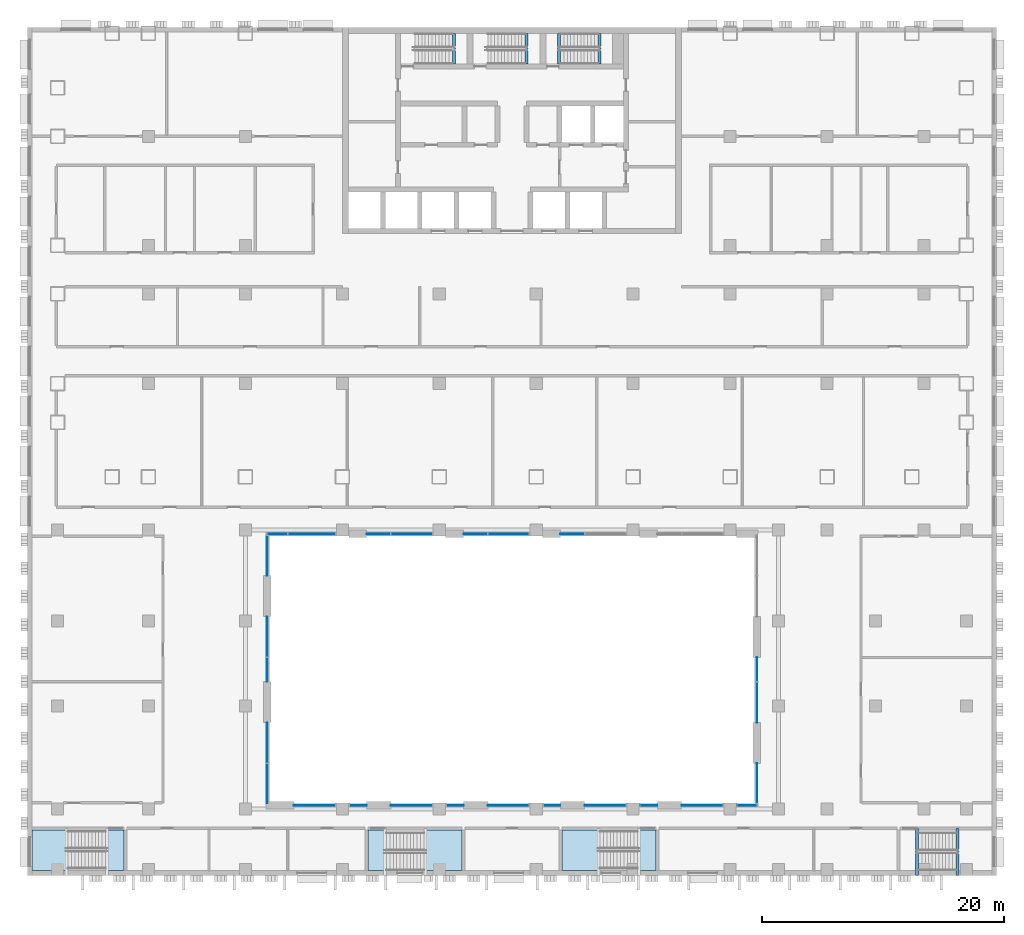
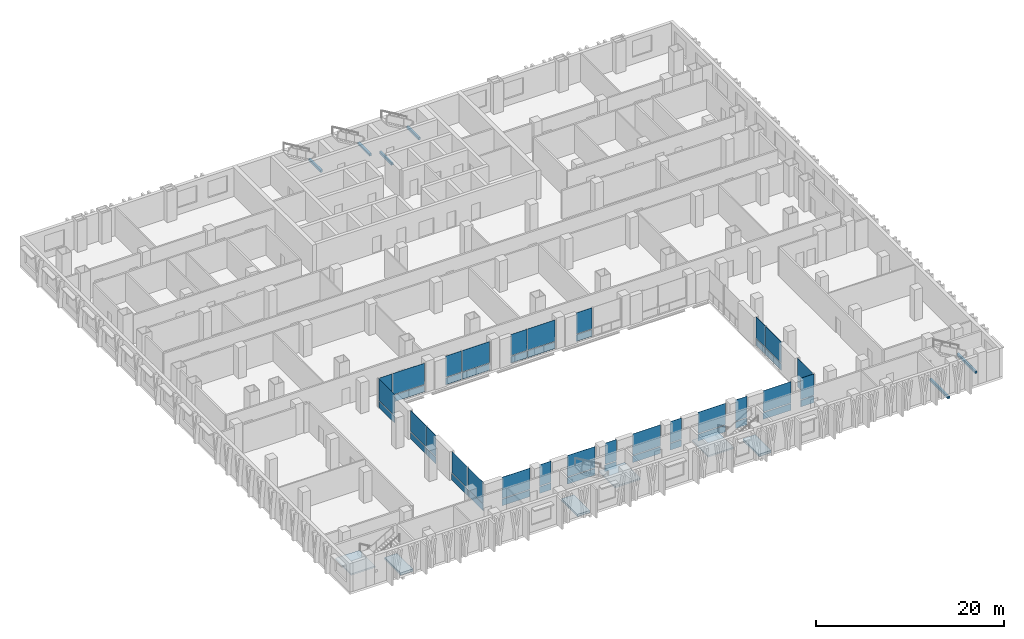
# One storey, part 5 of 25: 50 plates, 6 beams, 6 slabs, 22 elements without a shape of their own.
"""IFC4 building model written with IfcOpenShell, lengths in metres."""

from ifc_helpers import new_model, si_unit, direction, frame, origin, origin_2d, place, context, subcontext, project, spatial, polyline, rectangle, outline, extrude, material, layer, layer_set, material_profile, profile_set, type_object, element, aggregate, save


model = new_model("IFC4")

# Units and contexts
model_context = context("Model", 3, precision=1e-05, world=origin(), true_north=direction((0.0, 1.0)))
body_context = subcontext(model_context, "Body", "Model", "MODEL_VIEW")
ifc_project = project(units=[si_unit("LENGTHUNIT", "METRE"), si_unit("AREAUNIT", "SQUARE_METRE"), si_unit("VOLUMEUNIT", "CUBIC_METRE"), si_unit("PLANEANGLEUNIT", "RADIAN"), si_unit("MASSUNIT", "GRAM", prefix="KILO")], contexts=[model_context])

# Site, building, storey
site_placement = place(None, origin())
site = spatial("IfcSite", under=ifc_project, at=site_placement, CompositionType="ELEMENT")
building_placement = place(site_placement, origin())
building = spatial("IfcBuilding", under=site, at=building_placement, Name="Vidyagriha Tower", CompositionType="ELEMENT")
storey_placement = place(building_placement, frame((0.0, 0.0, 14.0)))
storey = spatial("IfcBuildingStorey", under=building, at=storey_placement, Name="L03", CompositionType="ELEMENT", Elevation=14.0)

# Beams
ifc_material_1 = material(Name="Concrete C40/50", Category="concrete")
ifc_material_profile = material_profile(ifc_material_1, rectangle(XDim=0.25, YDim=0.300048828125, at=origin_2d()), Name="Stair landing bearing beam 250x300")
ifc_profile_set = profile_set([ifc_material_profile], Name="Concrete C40/50")
beam_type = type_object("IfcBeamType", Name="Stair landing bearing beam 250x300", PredefinedType="BEAM", material=ifc_profile_set)
for number, where, z_axis, x_axis, name in (
    (1, (3.875, 16.949951171875, -0.449951171875), (0.0, 1.0, 0.0), (-1.0, 0.0, 0.0), "ST3 floor landing bearing beam L03"),
    (2, (-4.794921875, 16.949951171875, 1.64990234375), (0.0, 1.0, 0.0), (-1.0, 0.0, 0.0), "ST1 landing bearing beam L03"),
    (3, (1.205078125, 16.949951171875, 1.64990234375), (0.0, 1.0, 0.0), (-1.0, 0.0, 0.0), "ST2 landing bearing beam L03"),
    (4, (7.205078125, 16.949951171875, 1.64990234375), (0.0, 1.0, 0.0), (-1.0, 0.0, 0.0), "ST3 landing bearing beam L03"),
):
    element("IfcBeam", number, at=place(storey_placement, frame(where, z_axis=z_axis, x_axis=x_axis)), inside=storey, type_object=beam_type, Name=name, PredefinedType="BEAM", context=body_context, shape_type="SweptSolid", body=[
        extrude(rectangle(XDim=0.25, YDim=0.300048828125, at=origin_2d()), origin(), (0.0, 0.0, 1.0), 2.550048828125),
    ])
for number, where, z_axis, x_axis, name in (
    (5, (33.419921875, -50.0, -0.449951171875), (0.0, 1.0, 0.0), (-1.0, 0.0, 0.0), "PS2 floor landing bearing beam L03"),
    (6, (36.760009765625, -50.0, 1.64990234375), (0.0, 1.0, 0.0), (-1.0, 0.0, 0.0), "PS2 landing bearing beam L03"),
):
    element("IfcBeam", number, at=place(storey_placement, frame(where, z_axis=z_axis, x_axis=x_axis)), inside=storey, type_object=beam_type, Name=name, PredefinedType="BEAM", context=body_context, shape_type="SweptSolid", body=[
        extrude(rectangle(XDim=0.25, YDim=0.300048828125, at=origin_2d()), origin(), (0.0, 0.0, 1.0), 3.89990234375),
    ])

# Curtain wall, plate
ifc_material_2 = material(Name="Aluminium and glass curtain wall", Category="aluminium")
curtain_wall_type = type_object("IfcCurtainWallType", Name="Atrium screen curtain wall", PredefinedType="USERDEFINED", material=ifc_material_2)
curtain_wall_1_placement = place(storey_placement, origin())
curtain_wall_1 = element("IfcCurtainWall", 7, at=curtain_wall_1_placement, inside=storey, type_object=curtain_wall_type, Name="CW6 atrium screen", ObjectType="UNITISED", PredefinedType="USERDEFINED")
ifc_material_3 = material(Name="Glass dark ceramic-fritted spandrel", Category="glass")
ifc_layer_1 = layer(ifc_material_3, 0.0400390625)
ifc_layer_set_1 = layer_set([ifc_layer_1], Name="Glass dark ceramic-fritted spandrel")
plate_type_1 = type_object("IfcPlateType", Name="Ceramic-fritted spandrel panel", PredefinedType="CURTAIN_PANEL", material=ifc_layer_set_1)
plate_1_placement = place(storey_placement, frame((19.405029296875, -44.199951171875, 0.0), z_axis=(0.0, 0.0, 1.0), x_axis=(-1.0, 0.0, 0.0)))
plate_1 = element("IfcPlate", 8, at=plate_1_placement, type_object=plate_type_1, Name="CW6 panel 1.1", PredefinedType="CURTAIN_PANEL", context=body_context, shape_type="SweptSolid", body=[
    extrude(rectangle(XDim=1.610107421875, YDim=0.0400390625, at=origin_2d()), origin(), (0.0, 0.0, 1.0), 0.85009765625),
])

curtain_wall_2_placement = place(storey_placement, origin())
curtain_wall_2 = element("IfcCurtainWall", 9, at=curtain_wall_2_placement, inside=storey, type_object=curtain_wall_type, Name="CW6 atrium screen", ObjectType="UNITISED", PredefinedType="USERDEFINED")
plate_2_placement = place(storey_placement, frame((15.699951171875, -44.199951171875, 0.0), z_axis=(0.0, 0.0, 1.0), x_axis=(-1.0, 0.0, 0.0)))
plate_2 = element("IfcPlate", 10, at=plate_2_placement, type_object=plate_type_1, Name="CW6 panel 1.1", PredefinedType="CURTAIN_PANEL", context=body_context, shape_type="SweptSolid", body=[
    extrude(rectangle(XDim=3.39990234375, YDim=0.0400390625, at=origin_2d()), origin(), (0.0, 0.0, 1.0), 0.85009765625),
])

curtain_wall_3_placement = place(storey_placement, origin())
curtain_wall_3 = element("IfcCurtainWall", 11, at=curtain_wall_3_placement, inside=storey, type_object=curtain_wall_type, Name="CW6 atrium screen", ObjectType="UNITISED", PredefinedType="USERDEFINED")
plate_3_placement = place(storey_placement, frame((11.300048828125, -44.199951171875, 0.0), z_axis=(0.0, 0.0, 1.0), x_axis=(-1.0, 0.0, 0.0)))
plate_3 = element("IfcPlate", 12, at=plate_3_placement, type_object=plate_type_1, Name="CW6 panel 1.1", PredefinedType="CURTAIN_PANEL", context=body_context, shape_type="SweptSolid", body=[
    extrude(rectangle(XDim=1.39990234375, YDim=0.0400390625, at=origin_2d()), origin(), (0.0, 0.0, 1.0), 0.85009765625),
])

curtain_wall_4_placement = place(storey_placement, origin())
curtain_wall_4 = element("IfcCurtainWall", 13, at=curtain_wall_4_placement, inside=storey, type_object=curtain_wall_type, Name="CW6 atrium screen", ObjectType="UNITISED", PredefinedType="USERDEFINED")
plate_4_placement = place(storey_placement, frame((7.699951171875, -44.199951171875, 0.0), z_axis=(0.0, 0.0, 1.0), x_axis=(-1.0, 0.0, 0.0)))
plate_4 = element("IfcPlate", 14, at=plate_4_placement, type_object=plate_type_1, Name="CW6 panel 1.1", PredefinedType="CURTAIN_PANEL", context=body_context, shape_type="SweptSolid", body=[
    extrude(rectangle(XDim=3.39990234375, YDim=0.0400390625, at=origin_2d()), origin(), (0.0, 0.0, 1.0), 0.85009765625),
])

curtain_wall_5_placement = place(storey_placement, origin())
curtain_wall_5 = element("IfcCurtainWall", 15, at=curtain_wall_5_placement, inside=storey, type_object=curtain_wall_type, Name="CW6 atrium screen", ObjectType="UNITISED", PredefinedType="USERDEFINED")
plate_5_placement = place(storey_placement, frame((3.300048828125, -44.199951171875, 0.0), z_axis=(0.0, 0.0, 1.0), x_axis=(-1.0, 0.0, 0.0)))
plate_5 = element("IfcPlate", 16, at=plate_5_placement, type_object=plate_type_1, Name="CW6 panel 1.1", PredefinedType="CURTAIN_PANEL", context=body_context, shape_type="SweptSolid", body=[
    extrude(rectangle(XDim=1.39990234375, YDim=0.0400390625, at=origin_2d()), origin(), (0.0, 0.0, 1.0), 0.85009765625),
])

curtain_wall_6_placement = place(storey_placement, origin())
curtain_wall_6 = element("IfcCurtainWall", 17, at=curtain_wall_6_placement, inside=storey, type_object=curtain_wall_type, Name="CW6 atrium screen", ObjectType="UNITISED", PredefinedType="USERDEFINED")
plate_6_placement = place(storey_placement, frame((-0.300048828125, -44.199951171875, 0.0), z_axis=(0.0, 0.0, 1.0), x_axis=(-1.0, 0.0, 0.0)))
plate_6 = element("IfcPlate", 18, at=plate_6_placement, type_object=plate_type_1, Name="CW6 panel 1.1", PredefinedType="CURTAIN_PANEL", context=body_context, shape_type="SweptSolid", body=[
    extrude(rectangle(XDim=3.39990234375, YDim=0.0400390625, at=origin_2d()), origin(), (0.0, 0.0, 1.0), 0.85009765625),
])

curtain_wall_7_placement = place(storey_placement, origin())
curtain_wall_7 = element("IfcCurtainWall", 19, at=curtain_wall_7_placement, inside=storey, type_object=curtain_wall_type, Name="CW6 atrium screen", ObjectType="UNITISED", PredefinedType="USERDEFINED")
plate_7_placement = place(storey_placement, frame((-4.699951171875, -44.199951171875, 0.0), z_axis=(0.0, 0.0, 1.0), x_axis=(-1.0, 0.0, 0.0)))
plate_7 = element("IfcPlate", 20, at=plate_7_placement, type_object=plate_type_1, Name="CW6 panel 1.1", PredefinedType="CURTAIN_PANEL", context=body_context, shape_type="SweptSolid", body=[
    extrude(rectangle(XDim=1.39990234375, YDim=0.0400390625, at=origin_2d()), origin(), (0.0, 0.0, 1.0), 0.85009765625),
])

curtain_wall_8_placement = place(storey_placement, origin())
curtain_wall_8 = element("IfcCurtainWall", 21, at=curtain_wall_8_placement, inside=storey, type_object=curtain_wall_type, Name="CW6 atrium screen", ObjectType="UNITISED", PredefinedType="USERDEFINED")
plate_8_placement = place(storey_placement, frame((-8.300048828125, -44.199951171875, 0.0), z_axis=(0.0, 0.0, 1.0), x_axis=(-1.0, 0.0, 0.0)))
plate_8 = element("IfcPlate", 22, at=plate_8_placement, type_object=plate_type_1, Name="CW6 panel 1.1", PredefinedType="CURTAIN_PANEL", context=body_context, shape_type="SweptSolid", body=[
    extrude(rectangle(XDim=3.39990234375, YDim=0.0400390625, at=origin_2d()), origin(), (0.0, 0.0, 1.0), 0.85009765625),
])

curtain_wall_9_placement = place(storey_placement, origin())
curtain_wall_9 = element("IfcCurtainWall", 23, at=curtain_wall_9_placement, inside=storey, type_object=curtain_wall_type, Name="CW6 atrium screen", ObjectType="UNITISED", PredefinedType="USERDEFINED")
plate_9_placement = place(storey_placement, frame((-12.699951171875, -44.199951171875, 0.0), z_axis=(0.0, 0.0, 1.0), x_axis=(-1.0, 0.0, 0.0)))
plate_9 = element("IfcPlate", 24, at=plate_9_placement, type_object=plate_type_1, Name="CW6 panel 1.1", PredefinedType="CURTAIN_PANEL", context=body_context, shape_type="SweptSolid", body=[
    extrude(rectangle(XDim=1.39990234375, YDim=0.0400390625, at=origin_2d()), origin(), (0.0, 0.0, 1.0), 0.85009765625),
])

curtain_wall_10_placement = place(storey_placement, origin())
curtain_wall_10 = element("IfcCurtainWall", 25, at=curtain_wall_10_placement, inside=storey, type_object=curtain_wall_type, Name="CW6 atrium screen", ObjectType="UNITISED", PredefinedType="USERDEFINED")
plate_10_placement = place(storey_placement, frame((-16.300048828125, -44.199951171875, 0.0), z_axis=(0.0, 0.0, 1.0), x_axis=(-1.0, 0.0, 0.0)))
plate_10 = element("IfcPlate", 26, at=plate_10_placement, type_object=plate_type_1, Name="CW6 panel 1.1", PredefinedType="CURTAIN_PANEL", context=body_context, shape_type="SweptSolid", body=[
    extrude(rectangle(XDim=3.39990234375, YDim=0.0400390625, at=origin_2d()), origin(), (0.0, 0.0, 1.0), 0.85009765625),
])

# Curtain wall, plates
curtain_wall_11_placement = place(storey_placement, origin())
curtain_wall_11 = element("IfcCurtainWall", 27, at=curtain_wall_11_placement, inside=storey, type_object=curtain_wall_type, Name="CW6 atrium screen", ObjectType="UNITISED", PredefinedType="USERDEFINED")
plate_11_placement = place(storey_placement, frame((-20.199951171875, -42.415771484375, 0.0), z_axis=(0.0, 0.0, 1.0), x_axis=(0.0, 1.0, 0.0)))
plate_11 = element("IfcPlate", 28, at=plate_11_placement, type_object=plate_type_1, Name="CW6 panel 1.1", PredefinedType="CURTAIN_PANEL", context=body_context, shape_type="SweptSolid", body=[
    extrude(rectangle(XDim=3.268310546875, YDim=0.0400390625, at=origin_2d()), origin(), (0.0, 0.0, 1.0), 0.85009765625),
])
plate_12_placement = place(storey_placement, frame((-20.199951171875, -39.04248046875, 0.0), z_axis=(0.0, 0.0, 1.0), x_axis=(0.0, 1.0, 0.0)))
plate_12 = element("IfcPlate", 29, at=plate_12_placement, type_object=plate_type_1, Name="CW6 panel 2.1", PredefinedType="CURTAIN_PANEL", context=body_context, shape_type="SweptSolid", body=[
    extrude(rectangle(XDim=3.33837890625, YDim=0.0400390625, at=origin_2d()), origin(), (0.0, 0.0, 1.0), 0.85009765625),
])

curtain_wall_12_placement = place(storey_placement, origin())
curtain_wall_12 = element("IfcCurtainWall", 30, at=curtain_wall_12_placement, inside=storey, type_object=curtain_wall_type, Name="CW6 atrium screen", ObjectType="UNITISED", PredefinedType="USERDEFINED")
plate_13_placement = place(storey_placement, frame((-20.199951171875, -33.017578125, 0.0), z_axis=(0.0, 0.0, 1.0), x_axis=(0.0, 1.0, 0.0)))
plate_13 = element("IfcPlate", 31, at=plate_13_placement, type_object=plate_type_1, Name="CW6 panel 1.1", PredefinedType="CURTAIN_PANEL", context=body_context, shape_type="SweptSolid", body=[
    extrude(rectangle(XDim=1.965087890625, YDim=0.0400390625, at=origin_2d()), origin(), (0.0, 0.0, 1.0), 0.85009765625),
])
plate_14_placement = place(storey_placement, frame((-20.199951171875, -30.2958984375, 0.0), z_axis=(0.0, 0.0, 1.0), x_axis=(0.0, 1.0, 0.0)))
plate_14 = element("IfcPlate", 32, at=plate_14_placement, type_object=plate_type_1, Name="CW6 panel 2.1", PredefinedType="CURTAIN_PANEL", context=body_context, shape_type="SweptSolid", body=[
    extrude(rectangle(XDim=3.33837890625, YDim=0.0400390625, at=origin_2d()), origin(), (0.0, 0.0, 1.0), 0.85009765625),
])

# Curtain wall, plate
curtain_wall_13_placement = place(storey_placement, origin())
curtain_wall_13 = element("IfcCurtainWall", 33, at=curtain_wall_13_placement, inside=storey, type_object=curtain_wall_type, Name="CW6 atrium screen", ObjectType="UNITISED", PredefinedType="USERDEFINED")
plate_15_placement = place(storey_placement, frame((-20.199951171875, -23.6015625, 0.0), z_axis=(0.0, 0.0, 1.0), x_axis=(0.0, 1.0, 0.0)))
plate_15 = element("IfcPlate", 34, at=plate_15_placement, type_object=plate_type_1, Name="CW6 panel 1.1", PredefinedType="CURTAIN_PANEL", context=body_context, shape_type="SweptSolid", body=[
    extrude(rectangle(XDim=3.30322265625, YDim=0.0400390625, at=origin_2d()), origin(), (0.0, 0.0, 1.0), 0.85009765625),
])

# Curtain wall, plates
curtain_wall_14_placement = place(storey_placement, origin())
curtain_wall_14 = element("IfcCurtainWall", 35, at=curtain_wall_14_placement, inside=storey, type_object=curtain_wall_type, Name="CW6 atrium screen", ObjectType="UNITISED", PredefinedType="USERDEFINED")
plate_16_placement = place(storey_placement, frame((-19.37255859375, -21.800048828125, 0.0)))
plate_16 = element("IfcPlate", 36, at=plate_16_placement, type_object=plate_type_1, Name="CW6 panel 1.1", PredefinedType="CURTAIN_PANEL", context=body_context, shape_type="SweptSolid", body=[
    extrude(rectangle(XDim=1.675048828125, YDim=0.0400390625, at=origin_2d()), origin(), (0.0, 0.0, 1.0), 0.85009765625),
])
plate_17_placement = place(storey_placement, frame((-16.532470703125, -21.800048828125, 0.0)))
plate_17 = element("IfcPlate", 37, at=plate_17_placement, type_object=plate_type_1, Name="CW6 panel 2.1", PredefinedType="CURTAIN_PANEL", context=body_context, shape_type="SweptSolid", body=[
    extrude(rectangle(XDim=3.864990234375, YDim=0.0400390625, at=origin_2d()), origin(), (0.0, 0.0, 1.0), 0.85009765625),
])

curtain_wall_15_placement = place(storey_placement, origin())
curtain_wall_15 = element("IfcCurtainWall", 38, at=curtain_wall_15_placement, inside=storey, type_object=curtain_wall_type, Name="CW6 atrium screen", ObjectType="UNITISED", PredefinedType="USERDEFINED")
plate_18_placement = place(storey_placement, frame((-11.017578125, -21.800048828125, 0.0)))
plate_18 = element("IfcPlate", 39, at=plate_18_placement, type_object=plate_type_1, Name="CW6 panel 1.1", PredefinedType="CURTAIN_PANEL", context=body_context, shape_type="SweptSolid", body=[
    extrude(rectangle(XDim=1.965087890625, YDim=0.0400390625, at=origin_2d()), origin(), (0.0, 0.0, 1.0), 0.85009765625),
])
plate_19_placement = place(storey_placement, frame((-8.282470703125, -21.800048828125, 0.0)))
plate_19 = element("IfcPlate", 40, at=plate_19_placement, type_object=plate_type_1, Name="CW6 panel 2.1", PredefinedType="CURTAIN_PANEL", context=body_context, shape_type="SweptSolid", body=[
    extrude(rectangle(XDim=3.364990234375, YDim=0.0400390625, at=origin_2d()), origin(), (0.0, 0.0, 1.0), 0.85009765625),
])

curtain_wall_16_placement = place(storey_placement, origin())
curtain_wall_16 = element("IfcCurtainWall", 41, at=curtain_wall_16_placement, inside=storey, type_object=curtain_wall_type, Name="CW6 atrium screen", ObjectType="UNITISED", PredefinedType="USERDEFINED")
plate_20_placement = place(storey_placement, frame((-3.017578125, -21.800048828125, 0.0)))
plate_20 = element("IfcPlate", 42, at=plate_20_placement, type_object=plate_type_1, Name="CW6 panel 1.1", PredefinedType="CURTAIN_PANEL", context=body_context, shape_type="SweptSolid", body=[
    extrude(rectangle(XDim=1.965087890625, YDim=0.0400390625, at=origin_2d()), origin(), (0.0, 0.0, 1.0), 0.85009765625),
])
plate_21_placement = place(storey_placement, frame((-0.282470703125, -21.800048828125, 0.0)))
plate_21 = element("IfcPlate", 43, at=plate_21_placement, type_object=plate_type_1, Name="CW6 panel 2.1", PredefinedType="CURTAIN_PANEL", context=body_context, shape_type="SweptSolid", body=[
    extrude(rectangle(XDim=3.364990234375, YDim=0.0400390625, at=origin_2d()), origin(), (0.0, 0.0, 1.0), 0.85009765625),
])

# Curtain wall, plate
curtain_wall_17_placement = place(storey_placement, origin())
curtain_wall_17 = element("IfcCurtainWall", 44, at=curtain_wall_17_placement, inside=storey, type_object=curtain_wall_type, Name="CW6 atrium screen", ObjectType="UNITISED", PredefinedType="USERDEFINED")
plate_22_placement = place(storey_placement, frame((4.982421875, -21.800048828125, 0.0)))
plate_22 = element("IfcPlate", 45, at=plate_22_placement, type_object=plate_type_1, Name="CW6 panel 1.1", PredefinedType="CURTAIN_PANEL", context=body_context, shape_type="SweptSolid", body=[
    extrude(rectangle(XDim=1.965087890625, YDim=0.0400390625, at=origin_2d()), origin(), (0.0, 0.0, 1.0), 0.85009765625),
])

# Curtain wall, plates
curtain_wall_18_placement = place(storey_placement, origin())
curtain_wall_18 = element("IfcCurtainWall", 46, at=curtain_wall_18_placement, inside=storey, type_object=curtain_wall_type, Name="CW6 atrium screen", ObjectType="UNITISED", PredefinedType="USERDEFINED")
plate_23_placement = place(storey_placement, frame((20.199951171875, -32.982421875, 0.0), z_axis=(0.0, 0.0, 1.0), x_axis=(0.0, -1.0, 0.0)))
plate_23 = element("IfcPlate", 47, at=plate_23_placement, type_object=plate_type_1, Name="CW6 panel 1.1", PredefinedType="CURTAIN_PANEL", context=body_context, shape_type="SweptSolid", body=[
    extrude(rectangle(XDim=1.965087890625, YDim=0.0400390625, at=origin_2d()), origin(), (0.0, 0.0, 1.0), 0.85009765625),
])
plate_24_placement = place(storey_placement, frame((20.199951171875, -35.7041015625, 0.0), z_axis=(0.0, 0.0, 1.0), x_axis=(0.0, -1.0, 0.0)))
plate_24 = element("IfcPlate", 48, at=plate_24_placement, type_object=plate_type_1, Name="CW6 panel 2.1", PredefinedType="CURTAIN_PANEL", context=body_context, shape_type="SweptSolid", body=[
    extrude(rectangle(XDim=3.33837890625, YDim=0.0400390625, at=origin_2d()), origin(), (0.0, 0.0, 1.0), 0.85009765625),
])

# Curtain wall, plate
curtain_wall_19_placement = place(storey_placement, origin())
curtain_wall_19 = element("IfcCurtainWall", 49, at=curtain_wall_19_placement, inside=storey, type_object=curtain_wall_type, Name="CW6 atrium screen", ObjectType="UNITISED", PredefinedType="USERDEFINED")
plate_25_placement = place(storey_placement, frame((20.199951171875, -42.3984375, 0.0), z_axis=(0.0, 0.0, 1.0), x_axis=(0.0, -1.0, 0.0)))
plate_25 = element("IfcPlate", 50, at=plate_25_placement, type_object=plate_type_1, Name="CW6 panel 1.1", PredefinedType="CURTAIN_PANEL", context=body_context, shape_type="SweptSolid", body=[
    extrude(rectangle(XDim=3.30322265625, YDim=0.0400390625, at=origin_2d()), origin(), (0.0, 0.0, 1.0), 0.85009765625),
])

# Plate
ifc_material_4 = material(Name="Glass dark ceramic-fritted", Category="glass")
ifc_layer_2 = layer(ifc_material_4, 0.028076171875)
ifc_layer_set_2 = layer_set([ifc_layer_2], Name="Glass dark ceramic-fritted")
plate_type_2 = type_object("IfcPlateType", Name="Dark ceramic-fritted vision glass panel", PredefinedType="CURTAIN_PANEL", material=ifc_layer_set_2)
plate_26_placement = place(storey_placement, frame((19.405029296875, -44.199951171875, 0.949951171875), z_axis=(0.0, 0.0, 1.0), x_axis=(-1.0, 0.0, 0.0)))
plate_26 = element("IfcPlate", 51, at=plate_26_placement, type_object=plate_type_2, Name="CW6 panel 1.2", PredefinedType="CURTAIN_PANEL", context=body_context, shape_type="SweptSolid", body=[
    extrude(rectangle(XDim=1.610107421875, YDim=0.028076171875, at=origin_2d()), origin(), (0.0, 0.0, 1.0), 2.75),
])

aggregate(curtain_wall_1, [plate_1, plate_26])

plate_27_placement = place(storey_placement, frame((15.699951171875, -44.199951171875, 0.949951171875), z_axis=(0.0, 0.0, 1.0), x_axis=(-1.0, 0.0, 0.0)))
plate_27 = element("IfcPlate", 52, at=plate_27_placement, type_object=plate_type_2, Name="CW6 panel 1.2", PredefinedType="CURTAIN_PANEL", context=body_context, shape_type="SweptSolid", body=[
    extrude(rectangle(XDim=3.39990234375, YDim=0.028076171875, at=origin_2d()), origin(), (0.0, 0.0, 1.0), 2.75),
])

aggregate(curtain_wall_2, [plate_2, plate_27])

plate_28_placement = place(storey_placement, frame((11.300048828125, -44.199951171875, 0.949951171875), z_axis=(0.0, 0.0, 1.0), x_axis=(-1.0, 0.0, 0.0)))
plate_28 = element("IfcPlate", 53, at=plate_28_placement, type_object=plate_type_2, Name="CW6 panel 1.2", PredefinedType="CURTAIN_PANEL", context=body_context, shape_type="SweptSolid", body=[
    extrude(rectangle(XDim=1.39990234375, YDim=0.028076171875, at=origin_2d()), origin(), (0.0, 0.0, 1.0), 2.75),
])

aggregate(curtain_wall_3, [plate_3, plate_28])

plate_29_placement = place(storey_placement, frame((7.699951171875, -44.199951171875, 0.949951171875), z_axis=(0.0, 0.0, 1.0), x_axis=(-1.0, 0.0, 0.0)))
plate_29 = element("IfcPlate", 54, at=plate_29_placement, type_object=plate_type_2, Name="CW6 panel 1.2", PredefinedType="CURTAIN_PANEL", context=body_context, shape_type="SweptSolid", body=[
    extrude(rectangle(XDim=3.39990234375, YDim=0.028076171875, at=origin_2d()), origin(), (0.0, 0.0, 1.0), 2.75),
])

aggregate(curtain_wall_4, [plate_4, plate_29])

plate_30_placement = place(storey_placement, frame((3.300048828125, -44.199951171875, 0.949951171875), z_axis=(0.0, 0.0, 1.0), x_axis=(-1.0, 0.0, 0.0)))
plate_30 = element("IfcPlate", 55, at=plate_30_placement, type_object=plate_type_2, Name="CW6 panel 1.2", PredefinedType="CURTAIN_PANEL", context=body_context, shape_type="SweptSolid", body=[
    extrude(rectangle(XDim=1.39990234375, YDim=0.028076171875, at=origin_2d()), origin(), (0.0, 0.0, 1.0), 2.75),
])

aggregate(curtain_wall_5, [plate_5, plate_30])

plate_31_placement = place(storey_placement, frame((-0.300048828125, -44.199951171875, 0.949951171875), z_axis=(0.0, 0.0, 1.0), x_axis=(-1.0, 0.0, 0.0)))
plate_31 = element("IfcPlate", 56, at=plate_31_placement, type_object=plate_type_2, Name="CW6 panel 1.2", PredefinedType="CURTAIN_PANEL", context=body_context, shape_type="SweptSolid", body=[
    extrude(rectangle(XDim=3.39990234375, YDim=0.028076171875, at=origin_2d()), origin(), (0.0, 0.0, 1.0), 2.75),
])

aggregate(curtain_wall_6, [plate_6, plate_31])

plate_32_placement = place(storey_placement, frame((-4.699951171875, -44.199951171875, 0.949951171875), z_axis=(0.0, 0.0, 1.0), x_axis=(-1.0, 0.0, 0.0)))
plate_32 = element("IfcPlate", 57, at=plate_32_placement, type_object=plate_type_2, Name="CW6 panel 1.2", PredefinedType="CURTAIN_PANEL", context=body_context, shape_type="SweptSolid", body=[
    extrude(rectangle(XDim=1.39990234375, YDim=0.028076171875, at=origin_2d()), origin(), (0.0, 0.0, 1.0), 2.75),
])

aggregate(curtain_wall_7, [plate_7, plate_32])

plate_33_placement = place(storey_placement, frame((-8.300048828125, -44.199951171875, 0.949951171875), z_axis=(0.0, 0.0, 1.0), x_axis=(-1.0, 0.0, 0.0)))
plate_33 = element("IfcPlate", 58, at=plate_33_placement, type_object=plate_type_2, Name="CW6 panel 1.2", PredefinedType="CURTAIN_PANEL", context=body_context, shape_type="SweptSolid", body=[
    extrude(rectangle(XDim=3.39990234375, YDim=0.028076171875, at=origin_2d()), origin(), (0.0, 0.0, 1.0), 2.75),
])

aggregate(curtain_wall_8, [plate_8, plate_33])

plate_34_placement = place(storey_placement, frame((-12.699951171875, -44.199951171875, 0.949951171875), z_axis=(0.0, 0.0, 1.0), x_axis=(-1.0, 0.0, 0.0)))
plate_34 = element("IfcPlate", 59, at=plate_34_placement, type_object=plate_type_2, Name="CW6 panel 1.2", PredefinedType="CURTAIN_PANEL", context=body_context, shape_type="SweptSolid", body=[
    extrude(rectangle(XDim=1.39990234375, YDim=0.028076171875, at=origin_2d()), origin(), (0.0, 0.0, 1.0), 2.75),
])

aggregate(curtain_wall_9, [plate_9, plate_34])

plate_35_placement = place(storey_placement, frame((-16.300048828125, -44.199951171875, 0.949951171875), z_axis=(0.0, 0.0, 1.0), x_axis=(-1.0, 0.0, 0.0)))
plate_35 = element("IfcPlate", 60, at=plate_35_placement, type_object=plate_type_2, Name="CW6 panel 1.2", PredefinedType="CURTAIN_PANEL", context=body_context, shape_type="SweptSolid", body=[
    extrude(rectangle(XDim=3.39990234375, YDim=0.028076171875, at=origin_2d()), origin(), (0.0, 0.0, 1.0), 2.75),
])

aggregate(curtain_wall_10, [plate_10, plate_35])

plate_36_placement = place(storey_placement, frame((-20.199951171875, -42.415771484375, 0.949951171875), z_axis=(0.0, 0.0, 1.0), x_axis=(0.0, 1.0, 0.0)))
plate_36 = element("IfcPlate", 61, at=plate_36_placement, type_object=plate_type_2, Name="CW6 panel 1.2", PredefinedType="CURTAIN_PANEL", context=body_context, shape_type="SweptSolid", body=[
    extrude(rectangle(XDim=3.268310546875, YDim=0.028076171875, at=origin_2d()), origin(), (0.0, 0.0, 1.0), 2.75),
])

plate_37_placement = place(storey_placement, frame((-20.199951171875, -39.04248046875, 0.949951171875), z_axis=(0.0, 0.0, 1.0), x_axis=(0.0, 1.0, 0.0)))
plate_37 = element("IfcPlate", 62, at=plate_37_placement, type_object=plate_type_2, Name="CW6 panel 2.2", PredefinedType="CURTAIN_PANEL", context=body_context, shape_type="SweptSolid", body=[
    extrude(rectangle(XDim=3.33837890625, YDim=0.028076171875, at=origin_2d()), origin(), (0.0, 0.0, 1.0), 2.75),
])

aggregate(curtain_wall_11, [plate_11, plate_36, plate_12, plate_37])

plate_38_placement = place(storey_placement, frame((-20.199951171875, -33.017578125, 0.949951171875), z_axis=(0.0, 0.0, 1.0), x_axis=(0.0, 1.0, 0.0)))
plate_38 = element("IfcPlate", 63, at=plate_38_placement, type_object=plate_type_2, Name="CW6 panel 1.2", PredefinedType="CURTAIN_PANEL", context=body_context, shape_type="SweptSolid", body=[
    extrude(rectangle(XDim=1.965087890625, YDim=0.028076171875, at=origin_2d()), origin(), (0.0, 0.0, 1.0), 2.75),
])

plate_39_placement = place(storey_placement, frame((-20.199951171875, -30.2958984375, 0.949951171875), z_axis=(0.0, 0.0, 1.0), x_axis=(0.0, 1.0, 0.0)))
plate_39 = element("IfcPlate", 64, at=plate_39_placement, type_object=plate_type_2, Name="CW6 panel 2.2", PredefinedType="CURTAIN_PANEL", context=body_context, shape_type="SweptSolid", body=[
    extrude(rectangle(XDim=3.33837890625, YDim=0.028076171875, at=origin_2d()), origin(), (0.0, 0.0, 1.0), 2.75),
])

aggregate(curtain_wall_12, [plate_13, plate_38, plate_14, plate_39])

plate_40_placement = place(storey_placement, frame((-20.199951171875, -23.6015625, 0.949951171875), z_axis=(0.0, 0.0, 1.0), x_axis=(0.0, 1.0, 0.0)))
plate_40 = element("IfcPlate", 65, at=plate_40_placement, type_object=plate_type_2, Name="CW6 panel 1.2", PredefinedType="CURTAIN_PANEL", context=body_context, shape_type="SweptSolid", body=[
    extrude(rectangle(XDim=3.30322265625, YDim=0.028076171875, at=origin_2d()), origin(), (0.0, 0.0, 1.0), 2.75),
])

aggregate(curtain_wall_13, [plate_15, plate_40])

plate_41_placement = place(storey_placement, frame((-19.37255859375, -21.800048828125, 0.949951171875)))
plate_41 = element("IfcPlate", 66, at=plate_41_placement, type_object=plate_type_2, Name="CW6 panel 1.2", PredefinedType="CURTAIN_PANEL", context=body_context, shape_type="SweptSolid", body=[
    extrude(rectangle(XDim=1.675048828125, YDim=0.028076171875, at=origin_2d()), origin(), (0.0, 0.0, 1.0), 2.75),
])

plate_42_placement = place(storey_placement, frame((-16.532470703125, -21.800048828125, 0.949951171875)))
plate_42 = element("IfcPlate", 67, at=plate_42_placement, type_object=plate_type_2, Name="CW6 panel 2.2", PredefinedType="CURTAIN_PANEL", context=body_context, shape_type="SweptSolid", body=[
    extrude(rectangle(XDim=3.864990234375, YDim=0.028076171875, at=origin_2d()), origin(), (0.0, 0.0, 1.0), 2.75),
])

aggregate(curtain_wall_14, [plate_16, plate_41, plate_17, plate_42])

plate_43_placement = place(storey_placement, frame((-11.017578125, -21.800048828125, 0.949951171875)))
plate_43 = element("IfcPlate", 68, at=plate_43_placement, type_object=plate_type_2, Name="CW6 panel 1.2", PredefinedType="CURTAIN_PANEL", context=body_context, shape_type="SweptSolid", body=[
    extrude(rectangle(XDim=1.965087890625, YDim=0.028076171875, at=origin_2d()), origin(), (0.0, 0.0, 1.0), 2.75),
])

plate_44_placement = place(storey_placement, frame((-8.282470703125, -21.800048828125, 0.949951171875)))
plate_44 = element("IfcPlate", 69, at=plate_44_placement, type_object=plate_type_2, Name="CW6 panel 2.2", PredefinedType="CURTAIN_PANEL", context=body_context, shape_type="SweptSolid", body=[
    extrude(rectangle(XDim=3.364990234375, YDim=0.028076171875, at=origin_2d()), origin(), (0.0, 0.0, 1.0), 2.75),
])

aggregate(curtain_wall_15, [plate_18, plate_43, plate_19, plate_44])

plate_45_placement = place(storey_placement, frame((-3.017578125, -21.800048828125, 0.949951171875)))
plate_45 = element("IfcPlate", 70, at=plate_45_placement, type_object=plate_type_2, Name="CW6 panel 1.2", PredefinedType="CURTAIN_PANEL", context=body_context, shape_type="SweptSolid", body=[
    extrude(rectangle(XDim=1.965087890625, YDim=0.028076171875, at=origin_2d()), origin(), (0.0, 0.0, 1.0), 2.75),
])

plate_46_placement = place(storey_placement, frame((-0.282470703125, -21.800048828125, 0.949951171875)))
plate_46 = element("IfcPlate", 71, at=plate_46_placement, type_object=plate_type_2, Name="CW6 panel 2.2", PredefinedType="CURTAIN_PANEL", context=body_context, shape_type="SweptSolid", body=[
    extrude(rectangle(XDim=3.364990234375, YDim=0.028076171875, at=origin_2d()), origin(), (0.0, 0.0, 1.0), 2.75),
])

aggregate(curtain_wall_16, [plate_20, plate_45, plate_21, plate_46])

plate_47_placement = place(storey_placement, frame((4.982421875, -21.800048828125, 0.949951171875)))
plate_47 = element("IfcPlate", 72, at=plate_47_placement, type_object=plate_type_2, Name="CW6 panel 1.2", PredefinedType="CURTAIN_PANEL", context=body_context, shape_type="SweptSolid", body=[
    extrude(rectangle(XDim=1.965087890625, YDim=0.028076171875, at=origin_2d()), origin(), (0.0, 0.0, 1.0), 2.75),
])

aggregate(curtain_wall_17, [plate_22, plate_47])

plate_48_placement = place(storey_placement, frame((20.199951171875, -32.982421875, 0.949951171875), z_axis=(0.0, 0.0, 1.0), x_axis=(0.0, -1.0, 0.0)))
plate_48 = element("IfcPlate", 73, at=plate_48_placement, type_object=plate_type_2, Name="CW6 panel 1.2", PredefinedType="CURTAIN_PANEL", context=body_context, shape_type="SweptSolid", body=[
    extrude(rectangle(XDim=1.965087890625, YDim=0.028076171875, at=origin_2d()), origin(), (0.0, 0.0, 1.0), 2.75),
])

plate_49_placement = place(storey_placement, frame((20.199951171875, -35.7041015625, 0.949951171875), z_axis=(0.0, 0.0, 1.0), x_axis=(0.0, -1.0, 0.0)))
plate_49 = element("IfcPlate", 74, at=plate_49_placement, type_object=plate_type_2, Name="CW6 panel 2.2", PredefinedType="CURTAIN_PANEL", context=body_context, shape_type="SweptSolid", body=[
    extrude(rectangle(XDim=3.33837890625, YDim=0.028076171875, at=origin_2d()), origin(), (0.0, 0.0, 1.0), 2.75),
])

aggregate(curtain_wall_18, [plate_23, plate_48, plate_24, plate_49])

plate_50_placement = place(storey_placement, frame((20.199951171875, -42.3984375, 0.949951171875), z_axis=(0.0, 0.0, 1.0), x_axis=(0.0, -1.0, 0.0)))
plate_50 = element("IfcPlate", 75, at=plate_50_placement, type_object=plate_type_2, Name="CW6 panel 1.2", PredefinedType="CURTAIN_PANEL", context=body_context, shape_type="SweptSolid", body=[
    extrude(rectangle(XDim=3.30322265625, YDim=0.028076171875, at=origin_2d()), origin(), (0.0, 0.0, 1.0), 2.75),
])

aggregate(curtain_wall_19, [plate_25, plate_50])

# Stair, slab
ifc_material_5 = material(Name="Concrete C32/40", Category="concrete")
stair_type = type_object("IfcStairType", Name="Podium Exit Stair 1500", PredefinedType="HALF_TURN_STAIR", material=ifc_material_5)
stair_1_placement = place(storey_placement, origin())
stair_1 = element("IfcStair", 76, at=stair_1_placement, inside=storey, type_object=stair_type, Name="L03 Exit Stair PS1", PredefinedType="HALF_TURN_STAIR")
ifc_material_6 = material(Name="Concrete C32/40", Category="concrete")
ifc_layer_3 = layer(ifc_material_6, 0.199951171875)
ifc_layer_set_3 = layer_set([ifc_layer_3], Name="Concrete C32/40")
slab_type_1 = type_object("IfcSlabType", Name="Podium Stair Landing 200", PredefinedType="LANDING", material=ifc_layer_set_3)
slab_1_placement = place(storey_placement, frame((0.0, 0.0, 1.800048828125)))
slab_1 = element("IfcSlab", 77, at=slab_1_placement, type_object=slab_type_1, Name="PS1 landing 1", PredefinedType="LANDING", context=body_context, shape_type="SweptSolid", body=[
    extrude(outline(polyline([(-36.625, -46.22509765625), (-39.60009765625, -46.22509765625), (-39.60009765625, -49.60009765625), (-36.625, -49.60009765625), (-36.625, -46.22509765625)])), origin(), (0.0, 0.0, 1.0), 0.199951171875),
])
aggregate(stair_1, [slab_1])

stair_2_placement = place(storey_placement, origin())
stair_2 = element("IfcStair", 78, at=stair_2_placement, inside=storey, type_object=stair_type, Name="L03 Exit Stair PS3", PredefinedType="HALF_TURN_STAIR")
slab_2_placement = place(storey_placement, frame((0.0, 0.0, 1.800048828125)))
slab_2 = element("IfcSlab", 79, at=slab_2_placement, type_object=slab_type_1, Name="PS3 landing 1", PredefinedType="LANDING", context=body_context, shape_type="SweptSolid", body=[
    extrude(outline(polyline([(-7.27490234375, -49.60009765625), (-4.125, -49.60009765625), (-4.125, -46.22509765625), (-7.27490234375, -46.22509765625), (-7.27490234375, -49.60009765625)])), origin(), (0.0, 0.0, 1.0), 0.199951171875),
])
aggregate(stair_2, [slab_2])

stair_3_placement = place(storey_placement, origin())
stair_3 = element("IfcStair", 80, at=stair_3_placement, inside=storey, type_object=stair_type, Name="L03 Exit Stair PS4", PredefinedType="HALF_TURN_STAIR")
slab_3_placement = place(storey_placement, frame((0.0, 0.0, 1.800048828125)))
slab_3 = element("IfcSlab", 81, at=slab_3_placement, type_object=slab_type_1, Name="PS4 landing 1", PredefinedType="LANDING", context=body_context, shape_type="SweptSolid", body=[
    extrude(outline(polyline([(7.27490234375, -46.22509765625), (4.125, -46.22509765625), (4.125, -49.60009765625), (7.27490234375, -49.60009765625), (7.27490234375, -46.22509765625)])), origin(), (0.0, 0.0, 1.0), 0.199951171875),
])
aggregate(stair_3, [slab_3])

# Slabs
ifc_material_7 = material(Name="Concrete C32/40", Category="concrete")
ifc_layer_4 = layer(ifc_material_7, 0.300048828125)
ifc_layer_set_4 = layer_set([ifc_layer_4], Name="Concrete C32/40")
slab_type_2 = type_object("IfcSlabType", Name="Podium stair floor landing 300 mm", PredefinedType="LANDING", material=ifc_layer_set_4)
slab_4_placement = place(storey_placement, frame((0.0, 0.0, -0.300048828125)))
element("IfcSlab", 82, at=slab_4_placement, inside=storey, type_object=slab_type_2, Name="PS1 floor landing L03", PredefinedType="LANDING", context=body_context, shape_type="SweptSolid", body=[
    extrude(outline(polyline([(-33.544921875, -49.60009765625), (-32.02490234375, -49.60009765625), (-32.02490234375, -46.22509765625), (-33.544921875, -46.22509765625), (-33.544921875, -49.60009765625)])), origin(), (0.0, 0.0, 1.0), 0.300048828125),
])
slab_5_placement = place(storey_placement, frame((0.0, 0.0, -0.300048828125)))
element("IfcSlab", 83, at=slab_5_placement, inside=storey, type_object=slab_type_2, Name="PS3 floor landing L03", PredefinedType="LANDING", context=body_context, shape_type="SweptSolid", body=[
    extrude(outline(polyline([(-11.875, -49.60009765625), (-10.35498046875, -49.60009765625), (-10.35498046875, -46.22509765625), (-11.875, -46.22509765625), (-11.875, -49.60009765625)])), origin(), (0.0, 0.0, 1.0), 0.300048828125),
])
slab_6_placement = place(storey_placement, frame((0.0, 0.0, -0.300048828125)))
element("IfcSlab", 84, at=slab_6_placement, inside=storey, type_object=slab_type_2, Name="PS4 floor landing L03", PredefinedType="LANDING", context=body_context, shape_type="SweptSolid", body=[
    extrude(outline(polyline([(10.35498046875, -49.60009765625), (11.875, -49.60009765625), (11.875, -46.22509765625), (10.35498046875, -46.22509765625), (10.35498046875, -49.60009765625)])), origin(), (0.0, 0.0, 1.0), 0.300048828125),
])

save(model, "model.ifc")
